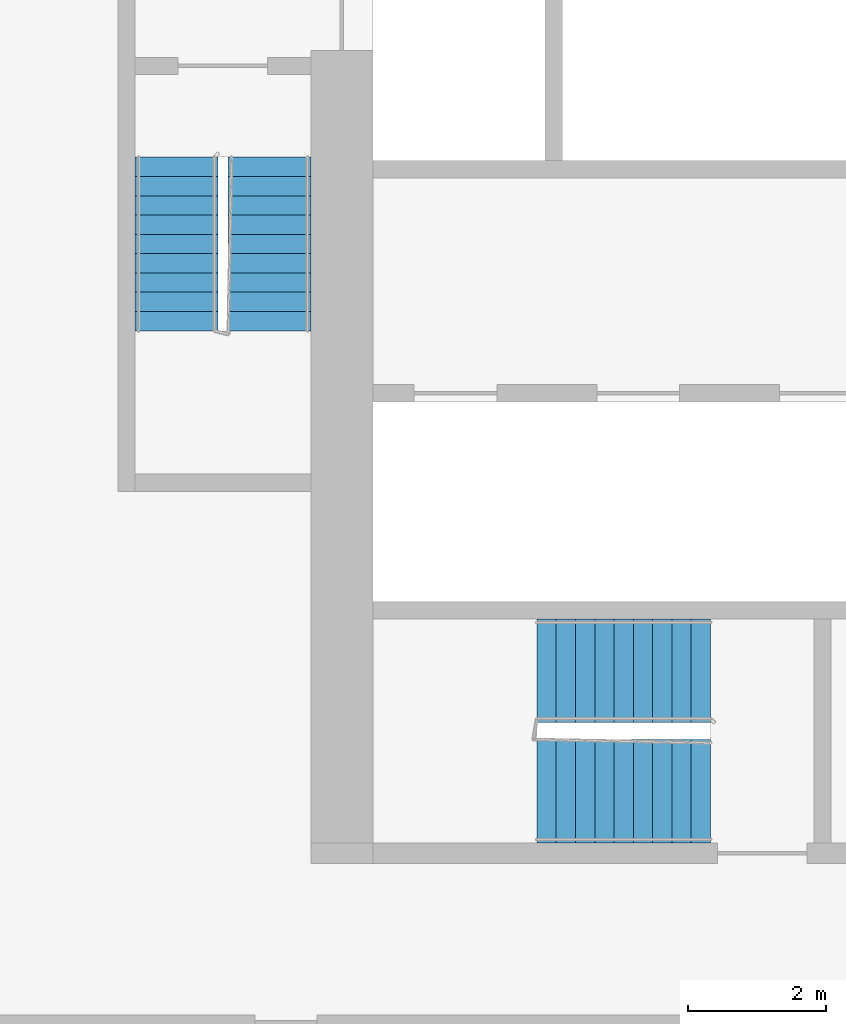
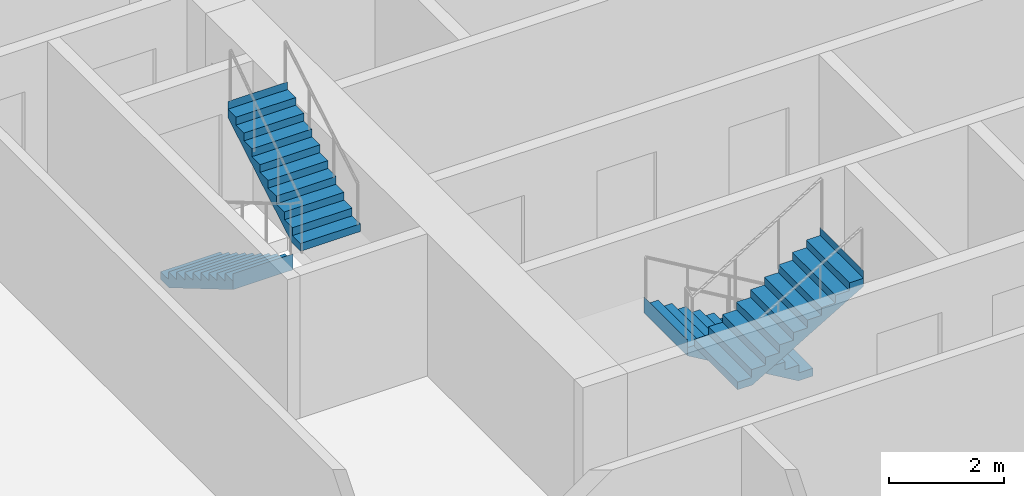
# One storey, part 9 of 12: 4 stair flights, 2 elements without a shape of their own.
"""IFC4 building model written with IfcOpenShell, lengths in metres."""

from ifc_helpers import new_model, si_unit, direction, frame, origin, place, context, subcontext, project, spatial, faceted_brep, material, type_object, element, aggregate, save


model = new_model("IFC4")

# Units and contexts
model_context = context("Model", 3, precision=1e-05, world=origin(), true_north=direction((0.0, 1.0)))
body_context = subcontext(model_context, "Body", "Model", "MODEL_VIEW")
ifc_project = project(units=[si_unit("LENGTHUNIT", "METRE"), si_unit("AREAUNIT", "SQUARE_METRE"), si_unit("VOLUMEUNIT", "CUBIC_METRE"), si_unit("PLANEANGLEUNIT", "RADIAN"), si_unit("MASSUNIT", "GRAM", prefix="KILO")], contexts=[model_context])

# Site, building, storey
site_placement = place(None, origin())
site = spatial("IfcSite", under=ifc_project, at=site_placement, CompositionType="ELEMENT")
building_placement = place(site_placement, origin())
building = spatial("IfcBuilding", under=site, at=building_placement, Name="Kajstack Hotel Tower", CompositionType="ELEMENT")
storey_placement = place(building_placement, frame((0.0, 0.0, 76.5)))
storey = spatial("IfcBuildingStorey", under=building, at=storey_placement, Name="L14", CompositionType="ELEMENT", Elevation=76.5)

# Stair, stair flights
ifc_material = material(Name="Concrete C40/50", Category="concrete")
stair_type_1 = type_object("IfcStairType", Name="Exit stair 1200", PredefinedType="HALF_TURN_STAIR", material=ifc_material)
stair_1_placement = place(storey_placement, origin())
stair_1 = element("IfcStair", 1, at=stair_1_placement, inside=storey, type_object=stair_type_1, Name="L14 stair W1", PredefinedType="HALF_TURN_STAIR")
stair_flight_type_1 = type_object("IfcStairFlightType", Name="Exit stair flight 1200", PredefinedType="STRAIGHT", material=ifc_material)
stair_flight_1_placement = place(storey_placement, frame((-33.449951171875, -5.25, 0.0), z_axis=(0.0, 0.0, 1.0), x_axis=(0.0, -1.0, 0.0)))
stair_flight_1 = element("IfcStairFlight", 2, at=stair_flight_1_placement, type_object=stair_flight_type_1, Name="W1 flight 1", NumberOfRisers=10, NumberOfTreads=9, PredefinedType="STRAIGHT", RiserHeight=0.165, TreadLength=0.28, context=body_context, shape_type="Brep", body=[
    faceted_brep([(0.295654296875, -0.60009765625, 0.0), (2.5205078125, -0.60009765625, 1.31103515625), (2.5205078125, -0.60009765625, 1.64990234375), (2.52001953125, -0.60009765625, 1.64990234375), (2.52001953125, -0.60009765625, 1.485107421875), (2.239990234375, -0.60009765625, 1.485107421875), (2.239990234375, -0.60009765625, 1.320068359375), (1.9599609375, -0.60009765625, 1.320068359375), (1.9599609375, -0.60009765625, 1.155029296875), (1.679931640625, -0.60009765625, 1.155029296875), (1.679931640625, -0.60009765625, 0.989990234375), (1.39990234375, -0.60009765625, 0.989990234375), (1.39990234375, -0.60009765625, 0.824951171875), (1.1201171875, -0.60009765625, 0.824951171875), (1.1201171875, -0.60009765625, 0.659912109375), (0.840087890625, -0.60009765625, 0.659912109375), (0.840087890625, -0.60009765625, 0.4951171875), (0.56005859375, -0.60009765625, 0.4951171875), (0.56005859375, -0.60009765625, 0.330078125), (0.280029296875, -0.60009765625, 0.330078125), (0.280029296875, -0.60009765625, 0.1650390625), (-0.00048828125, -0.60009765625, 0.1650390625), (-0.00048828125, -0.60009765625, 0.0), (-0.00048828125, 0.60009765625, 0.0), (-0.00048828125, 0.60009765625, 0.1650390625), (0.280029296875, 0.60009765625, 0.1650390625), (0.280029296875, 0.60009765625, 0.330078125), (0.56005859375, 0.60009765625, 0.330078125), (0.56005859375, 0.60009765625, 0.4951171875), (0.840087890625, 0.60009765625, 0.4951171875), (0.840087890625, 0.60009765625, 0.659912109375), (1.1201171875, 0.60009765625, 0.659912109375), (1.1201171875, 0.60009765625, 0.824951171875), (1.39990234375, 0.60009765625, 0.824951171875), (1.39990234375, 0.60009765625, 0.989990234375), (1.679931640625, 0.60009765625, 0.989990234375), (1.679931640625, 0.60009765625, 1.155029296875), (1.9599609375, 0.60009765625, 1.155029296875), (1.9599609375, 0.60009765625, 1.320068359375), (2.239990234375, 0.60009765625, 1.320068359375), (2.239990234375, 0.60009765625, 1.485107421875), (2.52001953125, 0.60009765625, 1.485107421875), (2.52001953125, 0.60009765625, 1.64990234375), (2.5205078125, 0.60009765625, 1.64990234375), (2.5205078125, 0.60009765625, 1.31103515625), (0.295654296875, 0.60009765625, 0.0), (-0.00048828125, -0.300048828125, 0.1650390625), (-0.00048828125, 0.0, 0.1650390625), (-0.00048828125, 0.300048828125, 0.1650390625), (-0.00048828125, 0.300048828125, 0.0), (-0.00048828125, 0.0, 0.0), (-0.00048828125, -0.300048828125, 0.0), (0.280029296875, -0.300048828125, 0.1650390625), (0.280029296875, 0.0, 0.1650390625), (0.280029296875, 0.300048828125, 0.1650390625), (0.280029296875, -0.300048828125, 0.330078125), (0.280029296875, 0.0, 0.330078125), (0.280029296875, 0.300048828125, 0.330078125), (0.56005859375, -0.300048828125, 0.330078125), (0.56005859375, 0.0, 0.330078125), (0.56005859375, 0.300048828125, 0.330078125), (0.56005859375, -0.300048828125, 0.4951171875), (0.56005859375, 0.0, 0.4951171875), (0.56005859375, 0.300048828125, 0.4951171875), (0.840087890625, -0.300048828125, 0.4951171875), (0.840087890625, 0.0, 0.4951171875), (0.840087890625, 0.300048828125, 0.4951171875), (0.840087890625, -0.300048828125, 0.659912109375), (0.840087890625, 0.0, 0.659912109375), (0.840087890625, 0.300048828125, 0.659912109375), (1.1201171875, -0.300048828125, 0.659912109375), (1.1201171875, 0.0, 0.659912109375), (1.1201171875, 0.300048828125, 0.659912109375), (1.1201171875, -0.300048828125, 0.824951171875), (1.1201171875, 0.0, 0.824951171875), (1.1201171875, 0.300048828125, 0.824951171875), (1.39990234375, -0.300048828125, 0.824951171875), (1.39990234375, 0.0, 0.824951171875), (1.39990234375, 0.300048828125, 0.824951171875), (1.39990234375, -0.300048828125, 0.989990234375), (1.39990234375, 0.0, 0.989990234375), (1.39990234375, 0.300048828125, 0.989990234375), (1.679931640625, -0.300048828125, 0.989990234375), (1.679931640625, 0.0, 0.989990234375), (1.679931640625, 0.300048828125, 0.989990234375), (1.679931640625, -0.300048828125, 1.155029296875), (1.679931640625, 0.0, 1.155029296875), (1.679931640625, 0.300048828125, 1.155029296875), (1.9599609375, -0.300048828125, 1.155029296875), (1.9599609375, 0.0, 1.155029296875), (1.9599609375, 0.300048828125, 1.155029296875), (1.9599609375, -0.300048828125, 1.320068359375), (1.9599609375, 0.0, 1.320068359375), (1.9599609375, 0.300048828125, 1.320068359375), (2.239990234375, -0.300048828125, 1.320068359375), (2.239990234375, 0.0, 1.320068359375), (2.239990234375, 0.300048828125, 1.320068359375), (2.239990234375, -0.300048828125, 1.485107421875), (2.239990234375, 0.0, 1.485107421875), (2.239990234375, 0.300048828125, 1.485107421875), (2.52001953125, -0.300048828125, 1.485107421875), (2.52001953125, 0.0, 1.485107421875), (2.52001953125, 0.300048828125, 1.485107421875), (2.52001953125, -0.300048828125, 1.64990234375), (2.52001953125, 0.0, 1.64990234375), (2.52001953125, 0.300048828125, 1.64990234375), (2.5205078125, -0.300048828125, 1.64990234375), (2.5205078125, 0.0, 1.64990234375), (2.5205078125, 0.300048828125, 1.64990234375), (2.5205078125, -0.300048828125, 1.31103515625), (2.5205078125, 0.0, 1.31103515625), (2.5205078125, 0.300048828125, 1.31103515625), (0.295654296875, -0.300048828125, 0.0), (0.295654296875, 0.0, 0.0), (0.295654296875, 0.300048828125, 0.0)], [[[0, 1, 2, 3, 4, 5, 6, 7, 8, 9, 10, 11, 12, 13, 14, 15, 16, 17, 18, 19, 20, 21, 22]], [[23, 24, 25, 26, 27, 28, 29, 30, 31, 32, 33, 34, 35, 36, 37, 38, 39, 40, 41, 42, 43, 44, 45]], [[21, 46, 47, 48, 24, 23, 49, 50, 51, 22]], [[20, 52, 53, 54, 25, 24, 48, 47, 46, 21]], [[19, 55, 56, 57, 26, 25, 54, 53, 52, 20]], [[18, 58, 59, 60, 27, 26, 57, 56, 55, 19]], [[17, 61, 62, 63, 28, 27, 60, 59, 58, 18]], [[16, 64, 65, 66, 29, 28, 63, 62, 61, 17]], [[15, 67, 68, 69, 30, 29, 66, 65, 64, 16]], [[14, 70, 71, 72, 31, 30, 69, 68, 67, 15]], [[13, 73, 74, 75, 32, 31, 72, 71, 70, 14]], [[12, 76, 77, 78, 33, 32, 75, 74, 73, 13]], [[11, 79, 80, 81, 34, 33, 78, 77, 76, 12]], [[10, 82, 83, 84, 35, 34, 81, 80, 79, 11]], [[9, 85, 86, 87, 36, 35, 84, 83, 82, 10]], [[8, 88, 89, 90, 37, 36, 87, 86, 85, 9]], [[7, 91, 92, 93, 38, 37, 90, 89, 88, 8]], [[6, 94, 95, 96, 39, 38, 93, 92, 91, 7]], [[5, 97, 98, 99, 40, 39, 96, 95, 94, 6]], [[4, 100, 101, 102, 41, 40, 99, 98, 97, 5]], [[3, 103, 104, 105, 42, 41, 102, 101, 100, 4]], [[2, 106, 107, 108, 43, 42, 105, 104, 103, 3]], [[1, 109, 110, 111, 44, 43, 108, 107, 106, 2]], [[0, 112, 113, 114, 45, 44, 111, 110, 109, 1]], [[22, 51, 50, 49, 23, 45, 114, 113, 112, 0]]]),
])
stair_flight_2_placement = place(storey_placement, frame((-32.10009765625, -7.77001953125, 1.64990234375), z_axis=(0.0, 0.0, 1.0), x_axis=(0.0, 1.0, 0.0)))
stair_flight_2 = element("IfcStairFlight", 3, at=stair_flight_2_placement, type_object=stair_flight_type_1, Name="W1 flight 2", NumberOfRisers=10, NumberOfTreads=9, PredefinedType="STRAIGHT", RiserHeight=0.165, TreadLength=0.28, context=body_context, shape_type="Brep", body=[
    faceted_brep([(0.295654296875, -0.60009765625, 0.0), (2.5205078125, -0.60009765625, 1.31103515625), (2.5205078125, -0.60009765625, 1.64990234375), (2.52001953125, -0.60009765625, 1.64990234375), (2.52001953125, -0.60009765625, 1.485107421875), (2.239990234375, -0.60009765625, 1.485107421875), (2.239990234375, -0.60009765625, 1.320068359375), (1.9599609375, -0.60009765625, 1.320068359375), (1.9599609375, -0.60009765625, 1.155029296875), (1.679931640625, -0.60009765625, 1.155029296875), (1.679931640625, -0.60009765625, 0.989990234375), (1.39990234375, -0.60009765625, 0.989990234375), (1.39990234375, -0.60009765625, 0.824951171875), (1.1201171875, -0.60009765625, 0.824951171875), (1.1201171875, -0.60009765625, 0.659912109375), (0.840087890625, -0.60009765625, 0.659912109375), (0.840087890625, -0.60009765625, 0.4951171875), (0.56005859375, -0.60009765625, 0.4951171875), (0.56005859375, -0.60009765625, 0.330078125), (0.280029296875, -0.60009765625, 0.330078125), (0.280029296875, -0.60009765625, 0.1650390625), (-0.00048828125, -0.60009765625, 0.1650390625), (-0.00048828125, -0.60009765625, 0.0), (-0.00048828125, 0.60009765625, 0.0), (-0.00048828125, 0.60009765625, 0.1650390625), (0.280029296875, 0.60009765625, 0.1650390625), (0.280029296875, 0.60009765625, 0.330078125), (0.56005859375, 0.60009765625, 0.330078125), (0.56005859375, 0.60009765625, 0.4951171875), (0.840087890625, 0.60009765625, 0.4951171875), (0.840087890625, 0.60009765625, 0.659912109375), (1.1201171875, 0.60009765625, 0.659912109375), (1.1201171875, 0.60009765625, 0.824951171875), (1.39990234375, 0.60009765625, 0.824951171875), (1.39990234375, 0.60009765625, 0.989990234375), (1.679931640625, 0.60009765625, 0.989990234375), (1.679931640625, 0.60009765625, 1.155029296875), (1.9599609375, 0.60009765625, 1.155029296875), (1.9599609375, 0.60009765625, 1.320068359375), (2.239990234375, 0.60009765625, 1.320068359375), (2.239990234375, 0.60009765625, 1.485107421875), (2.52001953125, 0.60009765625, 1.485107421875), (2.52001953125, 0.60009765625, 1.64990234375), (2.5205078125, 0.60009765625, 1.64990234375), (2.5205078125, 0.60009765625, 1.31103515625), (0.295654296875, 0.60009765625, 0.0), (-0.00048828125, -0.300048828125, 0.1650390625), (-0.00048828125, 0.0, 0.1650390625), (-0.00048828125, 0.300048828125, 0.1650390625), (-0.00048828125, 0.300048828125, 0.0), (-0.00048828125, 0.0, 0.0), (-0.00048828125, -0.300048828125, 0.0), (0.280029296875, -0.300048828125, 0.1650390625), (0.280029296875, 0.0, 0.1650390625), (0.280029296875, 0.300048828125, 0.1650390625), (0.280029296875, -0.300048828125, 0.330078125), (0.280029296875, 0.0, 0.330078125), (0.280029296875, 0.300048828125, 0.330078125), (0.56005859375, -0.300048828125, 0.330078125), (0.56005859375, 0.0, 0.330078125), (0.56005859375, 0.300048828125, 0.330078125), (0.56005859375, -0.300048828125, 0.4951171875), (0.56005859375, 0.0, 0.4951171875), (0.56005859375, 0.300048828125, 0.4951171875), (0.840087890625, -0.300048828125, 0.4951171875), (0.840087890625, 0.0, 0.4951171875), (0.840087890625, 0.300048828125, 0.4951171875), (0.840087890625, -0.300048828125, 0.659912109375), (0.840087890625, 0.0, 0.659912109375), (0.840087890625, 0.300048828125, 0.659912109375), (1.1201171875, -0.300048828125, 0.659912109375), (1.1201171875, 0.0, 0.659912109375), (1.1201171875, 0.300048828125, 0.659912109375), (1.1201171875, -0.300048828125, 0.824951171875), (1.1201171875, 0.0, 0.824951171875), (1.1201171875, 0.300048828125, 0.824951171875), (1.39990234375, -0.300048828125, 0.824951171875), (1.39990234375, 0.0, 0.824951171875), (1.39990234375, 0.300048828125, 0.824951171875), (1.39990234375, -0.300048828125, 0.989990234375), (1.39990234375, 0.0, 0.989990234375), (1.39990234375, 0.300048828125, 0.989990234375), (1.679931640625, -0.300048828125, 0.989990234375), (1.679931640625, 0.0, 0.989990234375), (1.679931640625, 0.300048828125, 0.989990234375), (1.679931640625, -0.300048828125, 1.155029296875), (1.679931640625, 0.0, 1.155029296875), (1.679931640625, 0.300048828125, 1.155029296875), (1.9599609375, -0.300048828125, 1.155029296875), (1.9599609375, 0.0, 1.155029296875), (1.9599609375, 0.300048828125, 1.155029296875), (1.9599609375, -0.300048828125, 1.320068359375), (1.9599609375, 0.0, 1.320068359375), (1.9599609375, 0.300048828125, 1.320068359375), (2.239990234375, -0.300048828125, 1.320068359375), (2.239990234375, 0.0, 1.320068359375), (2.239990234375, 0.300048828125, 1.320068359375), (2.239990234375, -0.300048828125, 1.485107421875), (2.239990234375, 0.0, 1.485107421875), (2.239990234375, 0.300048828125, 1.485107421875), (2.52001953125, -0.300048828125, 1.485107421875), (2.52001953125, 0.0, 1.485107421875), (2.52001953125, 0.300048828125, 1.485107421875), (2.52001953125, -0.300048828125, 1.64990234375), (2.52001953125, 0.0, 1.64990234375), (2.52001953125, 0.300048828125, 1.64990234375), (2.5205078125, -0.300048828125, 1.64990234375), (2.5205078125, 0.0, 1.64990234375), (2.5205078125, 0.300048828125, 1.64990234375), (2.5205078125, -0.300048828125, 1.31103515625), (2.5205078125, 0.0, 1.31103515625), (2.5205078125, 0.300048828125, 1.31103515625), (0.295654296875, -0.300048828125, 0.0), (0.295654296875, 0.0, 0.0), (0.295654296875, 0.300048828125, 0.0)], [[[0, 1, 2, 3, 4, 5, 6, 7, 8, 9, 10, 11, 12, 13, 14, 15, 16, 17, 18, 19, 20, 21, 22]], [[23, 24, 25, 26, 27, 28, 29, 30, 31, 32, 33, 34, 35, 36, 37, 38, 39, 40, 41, 42, 43, 44, 45]], [[21, 46, 47, 48, 24, 23, 49, 50, 51, 22]], [[20, 52, 53, 54, 25, 24, 48, 47, 46, 21]], [[19, 55, 56, 57, 26, 25, 54, 53, 52, 20]], [[18, 58, 59, 60, 27, 26, 57, 56, 55, 19]], [[17, 61, 62, 63, 28, 27, 60, 59, 58, 18]], [[16, 64, 65, 66, 29, 28, 63, 62, 61, 17]], [[15, 67, 68, 69, 30, 29, 66, 65, 64, 16]], [[14, 70, 71, 72, 31, 30, 69, 68, 67, 15]], [[13, 73, 74, 75, 32, 31, 72, 71, 70, 14]], [[12, 76, 77, 78, 33, 32, 75, 74, 73, 13]], [[11, 79, 80, 81, 34, 33, 78, 77, 76, 12]], [[10, 82, 83, 84, 35, 34, 81, 80, 79, 11]], [[9, 85, 86, 87, 36, 35, 84, 83, 82, 10]], [[8, 88, 89, 90, 37, 36, 87, 86, 85, 9]], [[7, 91, 92, 93, 38, 37, 90, 89, 88, 8]], [[6, 94, 95, 96, 39, 38, 93, 92, 91, 7]], [[5, 97, 98, 99, 40, 39, 96, 95, 94, 6]], [[4, 100, 101, 102, 41, 40, 99, 98, 97, 5]], [[3, 103, 104, 105, 42, 41, 102, 101, 100, 4]], [[2, 106, 107, 108, 43, 42, 105, 104, 103, 3]], [[1, 109, 110, 111, 44, 43, 108, 107, 106, 2]], [[0, 112, 113, 114, 45, 44, 111, 110, 109, 1]], [[22, 51, 50, 49, 23, 45, 114, 113, 112, 0]]]),
])
aggregate(stair_1, [stair_flight_1, stair_flight_2])

stair_type_2 = type_object("IfcStairType", Name="Exit stair 1500", PredefinedType="HALF_TURN_STAIR", material=ifc_material)
stair_2_placement = place(storey_placement, origin())
stair_2 = element("IfcStair", 4, at=stair_2_placement, inside=storey, type_object=stair_type_2, Name="L14 stair W3", PredefinedType="HALF_TURN_STAIR")
stair_flight_type_2 = type_object("IfcStairFlightType", Name="Exit stair flight 1500", PredefinedType="STRAIGHT", material=ifc_material)
stair_flight_3_placement = place(storey_placement, frame((-25.699951171875, -12.699951171875, 0.0), z_axis=(0.0, 0.0, 1.0), x_axis=(-1.0, 0.0, 0.0)))
stair_flight_3 = element("IfcStairFlight", 5, at=stair_flight_3_placement, type_object=stair_flight_type_2, Name="W3 flight 1", NumberOfRisers=10, NumberOfTreads=9, PredefinedType="STRAIGHT", RiserHeight=0.165, TreadLength=0.28, context=body_context, shape_type="Brep", body=[
    faceted_brep([(0.295654296875, -0.75, 0.0), (2.5205078125, -0.75, 1.31103515625), (2.5205078125, -0.75, 1.64990234375), (2.52001953125, -0.75, 1.64990234375), (2.52001953125, -0.75, 1.485107421875), (2.239990234375, -0.75, 1.485107421875), (2.239990234375, -0.75, 1.320068359375), (1.9599609375, -0.75, 1.320068359375), (1.9599609375, -0.75, 1.155029296875), (1.679931640625, -0.75, 1.155029296875), (1.679931640625, -0.75, 0.989990234375), (1.39990234375, -0.75, 0.989990234375), (1.39990234375, -0.75, 0.824951171875), (1.1201171875, -0.75, 0.824951171875), (1.1201171875, -0.75, 0.659912109375), (0.840087890625, -0.75, 0.659912109375), (0.840087890625, -0.75, 0.4951171875), (0.56005859375, -0.75, 0.4951171875), (0.56005859375, -0.75, 0.330078125), (0.280029296875, -0.75, 0.330078125), (0.280029296875, -0.75, 0.1650390625), (-0.00048828125, -0.75, 0.1650390625), (-0.00048828125, -0.75, 0.0), (-0.00048828125, 0.75, 0.0), (-0.00048828125, 0.75, 0.1650390625), (0.280029296875, 0.75, 0.1650390625), (0.280029296875, 0.75, 0.330078125), (0.56005859375, 0.75, 0.330078125), (0.56005859375, 0.75, 0.4951171875), (0.840087890625, 0.75, 0.4951171875), (0.840087890625, 0.75, 0.659912109375), (1.1201171875, 0.75, 0.659912109375), (1.1201171875, 0.75, 0.824951171875), (1.39990234375, 0.75, 0.824951171875), (1.39990234375, 0.75, 0.989990234375), (1.679931640625, 0.75, 0.989990234375), (1.679931640625, 0.75, 1.155029296875), (1.9599609375, 0.75, 1.155029296875), (1.9599609375, 0.75, 1.320068359375), (2.239990234375, 0.75, 1.320068359375), (2.239990234375, 0.75, 1.485107421875), (2.52001953125, 0.75, 1.485107421875), (2.52001953125, 0.75, 1.64990234375), (2.5205078125, 0.75, 1.64990234375), (2.5205078125, 0.75, 1.31103515625), (0.295654296875, 0.75, 0.0), (-0.00048828125, -0.375, 0.1650390625), (-0.00048828125, 0.0, 0.1650390625), (-0.00048828125, 0.375, 0.1650390625), (-0.00048828125, 0.375, 0.0), (-0.00048828125, 0.0, 0.0), (-0.00048828125, -0.375, 0.0), (0.280029296875, -0.375, 0.1650390625), (0.280029296875, 0.0, 0.1650390625), (0.280029296875, 0.375, 0.1650390625), (0.280029296875, -0.375, 0.330078125), (0.280029296875, 0.0, 0.330078125), (0.280029296875, 0.375, 0.330078125), (0.56005859375, -0.375, 0.330078125), (0.56005859375, 0.0, 0.330078125), (0.56005859375, 0.375, 0.330078125), (0.56005859375, -0.375, 0.4951171875), (0.56005859375, 0.0, 0.4951171875), (0.56005859375, 0.375, 0.4951171875), (0.840087890625, -0.375, 0.4951171875), (0.840087890625, 0.0, 0.4951171875), (0.840087890625, 0.375, 0.4951171875), (0.840087890625, -0.375, 0.659912109375), (0.840087890625, 0.0, 0.659912109375), (0.840087890625, 0.375, 0.659912109375), (1.1201171875, -0.375, 0.659912109375), (1.1201171875, 0.0, 0.659912109375), (1.1201171875, 0.375, 0.659912109375), (1.1201171875, -0.375, 0.824951171875), (1.1201171875, 0.0, 0.824951171875), (1.1201171875, 0.375, 0.824951171875), (1.39990234375, -0.375, 0.824951171875), (1.39990234375, 0.0, 0.824951171875), (1.39990234375, 0.375, 0.824951171875), (1.39990234375, -0.375, 0.989990234375), (1.39990234375, 0.0, 0.989990234375), (1.39990234375, 0.375, 0.989990234375), (1.679931640625, -0.375, 0.989990234375), (1.679931640625, 0.0, 0.989990234375), (1.679931640625, 0.375, 0.989990234375), (1.679931640625, -0.375, 1.155029296875), (1.679931640625, 0.0, 1.155029296875), (1.679931640625, 0.375, 1.155029296875), (1.9599609375, -0.375, 1.155029296875), (1.9599609375, 0.0, 1.155029296875), (1.9599609375, 0.375, 1.155029296875), (1.9599609375, -0.375, 1.320068359375), (1.9599609375, 0.0, 1.320068359375), (1.9599609375, 0.375, 1.320068359375), (2.239990234375, -0.375, 1.320068359375), (2.239990234375, 0.0, 1.320068359375), (2.239990234375, 0.375, 1.320068359375), (2.239990234375, -0.375, 1.485107421875), (2.239990234375, 0.0, 1.485107421875), (2.239990234375, 0.375, 1.485107421875), (2.52001953125, -0.375, 1.485107421875), (2.52001953125, 0.0, 1.485107421875), (2.52001953125, 0.375, 1.485107421875), (2.52001953125, -0.375, 1.64990234375), (2.52001953125, 0.0, 1.64990234375), (2.52001953125, 0.375, 1.64990234375), (2.5205078125, -0.375, 1.64990234375), (2.5205078125, 0.0, 1.64990234375), (2.5205078125, 0.375, 1.64990234375), (2.5205078125, -0.375, 1.31103515625), (2.5205078125, 0.0, 1.31103515625), (2.5205078125, 0.375, 1.31103515625), (0.295654296875, -0.375, 0.0), (0.295654296875, 0.0, 0.0), (0.295654296875, 0.375, 0.0)], [[[0, 1, 2, 3, 4, 5, 6, 7, 8, 9, 10, 11, 12, 13, 14, 15, 16, 17, 18, 19, 20, 21, 22]], [[23, 24, 25, 26, 27, 28, 29, 30, 31, 32, 33, 34, 35, 36, 37, 38, 39, 40, 41, 42, 43, 44, 45]], [[21, 46, 47, 48, 24, 23, 49, 50, 51, 22]], [[20, 52, 53, 54, 25, 24, 48, 47, 46, 21]], [[19, 55, 56, 57, 26, 25, 54, 53, 52, 20]], [[18, 58, 59, 60, 27, 26, 57, 56, 55, 19]], [[17, 61, 62, 63, 28, 27, 60, 59, 58, 18]], [[16, 64, 65, 66, 29, 28, 63, 62, 61, 17]], [[15, 67, 68, 69, 30, 29, 66, 65, 64, 16]], [[14, 70, 71, 72, 31, 30, 69, 68, 67, 15]], [[13, 73, 74, 75, 32, 31, 72, 71, 70, 14]], [[12, 76, 77, 78, 33, 32, 75, 74, 73, 13]], [[11, 79, 80, 81, 34, 33, 78, 77, 76, 12]], [[10, 82, 83, 84, 35, 34, 81, 80, 79, 11]], [[9, 85, 86, 87, 36, 35, 84, 83, 82, 10]], [[8, 88, 89, 90, 37, 36, 87, 86, 85, 9]], [[7, 91, 92, 93, 38, 37, 90, 89, 88, 8]], [[6, 94, 95, 96, 39, 38, 93, 92, 91, 7]], [[5, 97, 98, 99, 40, 39, 96, 95, 94, 6]], [[4, 100, 101, 102, 41, 40, 99, 98, 97, 5]], [[3, 103, 104, 105, 42, 41, 102, 101, 100, 4]], [[2, 106, 107, 108, 43, 42, 105, 104, 103, 3]], [[1, 109, 110, 111, 44, 43, 108, 107, 106, 2]], [[0, 112, 113, 114, 45, 44, 111, 110, 109, 1]], [[22, 51, 50, 49, 23, 45, 114, 113, 112, 0]]]),
])
stair_flight_4_placement = place(storey_placement, frame((-28.219970703125, -14.449951171875, 1.64990234375), z_axis=(0.0, 0.0, 1.0), x_axis=(1.0, 0.0, 0.0)))
stair_flight_4 = element("IfcStairFlight", 6, at=stair_flight_4_placement, type_object=stair_flight_type_2, Name="W3 flight 2", NumberOfRisers=10, NumberOfTreads=9, PredefinedType="STRAIGHT", RiserHeight=0.165, TreadLength=0.28, context=body_context, shape_type="Brep", body=[
    faceted_brep([(0.295654296875, -0.75, 0.0), (2.5205078125, -0.75, 1.31103515625), (2.5205078125, -0.75, 1.64990234375), (2.52001953125, -0.75, 1.64990234375), (2.52001953125, -0.75, 1.485107421875), (2.239990234375, -0.75, 1.485107421875), (2.239990234375, -0.75, 1.320068359375), (1.9599609375, -0.75, 1.320068359375), (1.9599609375, -0.75, 1.155029296875), (1.679931640625, -0.75, 1.155029296875), (1.679931640625, -0.75, 0.989990234375), (1.39990234375, -0.75, 0.989990234375), (1.39990234375, -0.75, 0.824951171875), (1.1201171875, -0.75, 0.824951171875), (1.1201171875, -0.75, 0.659912109375), (0.840087890625, -0.75, 0.659912109375), (0.840087890625, -0.75, 0.4951171875), (0.56005859375, -0.75, 0.4951171875), (0.56005859375, -0.75, 0.330078125), (0.280029296875, -0.75, 0.330078125), (0.280029296875, -0.75, 0.1650390625), (-0.00048828125, -0.75, 0.1650390625), (-0.00048828125, -0.75, 0.0), (-0.00048828125, 0.75, 0.0), (-0.00048828125, 0.75, 0.1650390625), (0.280029296875, 0.75, 0.1650390625), (0.280029296875, 0.75, 0.330078125), (0.56005859375, 0.75, 0.330078125), (0.56005859375, 0.75, 0.4951171875), (0.840087890625, 0.75, 0.4951171875), (0.840087890625, 0.75, 0.659912109375), (1.1201171875, 0.75, 0.659912109375), (1.1201171875, 0.75, 0.824951171875), (1.39990234375, 0.75, 0.824951171875), (1.39990234375, 0.75, 0.989990234375), (1.679931640625, 0.75, 0.989990234375), (1.679931640625, 0.75, 1.155029296875), (1.9599609375, 0.75, 1.155029296875), (1.9599609375, 0.75, 1.320068359375), (2.239990234375, 0.75, 1.320068359375), (2.239990234375, 0.75, 1.485107421875), (2.52001953125, 0.75, 1.485107421875), (2.52001953125, 0.75, 1.64990234375), (2.5205078125, 0.75, 1.64990234375), (2.5205078125, 0.75, 1.31103515625), (0.295654296875, 0.75, 0.0), (-0.00048828125, -0.375, 0.1650390625), (-0.00048828125, 0.0, 0.1650390625), (-0.00048828125, 0.375, 0.1650390625), (-0.00048828125, 0.375, 0.0), (-0.00048828125, 0.0, 0.0), (-0.00048828125, -0.375, 0.0), (0.280029296875, -0.375, 0.1650390625), (0.280029296875, 0.0, 0.1650390625), (0.280029296875, 0.375, 0.1650390625), (0.280029296875, -0.375, 0.330078125), (0.280029296875, 0.0, 0.330078125), (0.280029296875, 0.375, 0.330078125), (0.56005859375, -0.375, 0.330078125), (0.56005859375, 0.0, 0.330078125), (0.56005859375, 0.375, 0.330078125), (0.56005859375, -0.375, 0.4951171875), (0.56005859375, 0.0, 0.4951171875), (0.56005859375, 0.375, 0.4951171875), (0.840087890625, -0.375, 0.4951171875), (0.840087890625, 0.0, 0.4951171875), (0.840087890625, 0.375, 0.4951171875), (0.840087890625, -0.375, 0.659912109375), (0.840087890625, 0.0, 0.659912109375), (0.840087890625, 0.375, 0.659912109375), (1.1201171875, -0.375, 0.659912109375), (1.1201171875, 0.0, 0.659912109375), (1.1201171875, 0.375, 0.659912109375), (1.1201171875, -0.375, 0.824951171875), (1.1201171875, 0.0, 0.824951171875), (1.1201171875, 0.375, 0.824951171875), (1.39990234375, -0.375, 0.824951171875), (1.39990234375, 0.0, 0.824951171875), (1.39990234375, 0.375, 0.824951171875), (1.39990234375, -0.375, 0.989990234375), (1.39990234375, 0.0, 0.989990234375), (1.39990234375, 0.375, 0.989990234375), (1.679931640625, -0.375, 0.989990234375), (1.679931640625, 0.0, 0.989990234375), (1.679931640625, 0.375, 0.989990234375), (1.679931640625, -0.375, 1.155029296875), (1.679931640625, 0.0, 1.155029296875), (1.679931640625, 0.375, 1.155029296875), (1.9599609375, -0.375, 1.155029296875), (1.9599609375, 0.0, 1.155029296875), (1.9599609375, 0.375, 1.155029296875), (1.9599609375, -0.375, 1.320068359375), (1.9599609375, 0.0, 1.320068359375), (1.9599609375, 0.375, 1.320068359375), (2.239990234375, -0.375, 1.320068359375), (2.239990234375, 0.0, 1.320068359375), (2.239990234375, 0.375, 1.320068359375), (2.239990234375, -0.375, 1.485107421875), (2.239990234375, 0.0, 1.485107421875), (2.239990234375, 0.375, 1.485107421875), (2.52001953125, -0.375, 1.485107421875), (2.52001953125, 0.0, 1.485107421875), (2.52001953125, 0.375, 1.485107421875), (2.52001953125, -0.375, 1.64990234375), (2.52001953125, 0.0, 1.64990234375), (2.52001953125, 0.375, 1.64990234375), (2.5205078125, -0.375, 1.64990234375), (2.5205078125, 0.0, 1.64990234375), (2.5205078125, 0.375, 1.64990234375), (2.5205078125, -0.375, 1.31103515625), (2.5205078125, 0.0, 1.31103515625), (2.5205078125, 0.375, 1.31103515625), (0.295654296875, -0.375, 0.0), (0.295654296875, 0.0, 0.0), (0.295654296875, 0.375, 0.0)], [[[0, 1, 2, 3, 4, 5, 6, 7, 8, 9, 10, 11, 12, 13, 14, 15, 16, 17, 18, 19, 20, 21, 22]], [[23, 24, 25, 26, 27, 28, 29, 30, 31, 32, 33, 34, 35, 36, 37, 38, 39, 40, 41, 42, 43, 44, 45]], [[21, 46, 47, 48, 24, 23, 49, 50, 51, 22]], [[20, 52, 53, 54, 25, 24, 48, 47, 46, 21]], [[19, 55, 56, 57, 26, 25, 54, 53, 52, 20]], [[18, 58, 59, 60, 27, 26, 57, 56, 55, 19]], [[17, 61, 62, 63, 28, 27, 60, 59, 58, 18]], [[16, 64, 65, 66, 29, 28, 63, 62, 61, 17]], [[15, 67, 68, 69, 30, 29, 66, 65, 64, 16]], [[14, 70, 71, 72, 31, 30, 69, 68, 67, 15]], [[13, 73, 74, 75, 32, 31, 72, 71, 70, 14]], [[12, 76, 77, 78, 33, 32, 75, 74, 73, 13]], [[11, 79, 80, 81, 34, 33, 78, 77, 76, 12]], [[10, 82, 83, 84, 35, 34, 81, 80, 79, 11]], [[9, 85, 86, 87, 36, 35, 84, 83, 82, 10]], [[8, 88, 89, 90, 37, 36, 87, 86, 85, 9]], [[7, 91, 92, 93, 38, 37, 90, 89, 88, 8]], [[6, 94, 95, 96, 39, 38, 93, 92, 91, 7]], [[5, 97, 98, 99, 40, 39, 96, 95, 94, 6]], [[4, 100, 101, 102, 41, 40, 99, 98, 97, 5]], [[3, 103, 104, 105, 42, 41, 102, 101, 100, 4]], [[2, 106, 107, 108, 43, 42, 105, 104, 103, 3]], [[1, 109, 110, 111, 44, 43, 108, 107, 106, 2]], [[0, 112, 113, 114, 45, 44, 111, 110, 109, 1]], [[22, 51, 50, 49, 23, 45, 114, 113, 112, 0]]]),
])
aggregate(stair_2, [stair_flight_3, stair_flight_4])

save(model, "model.ifc")
